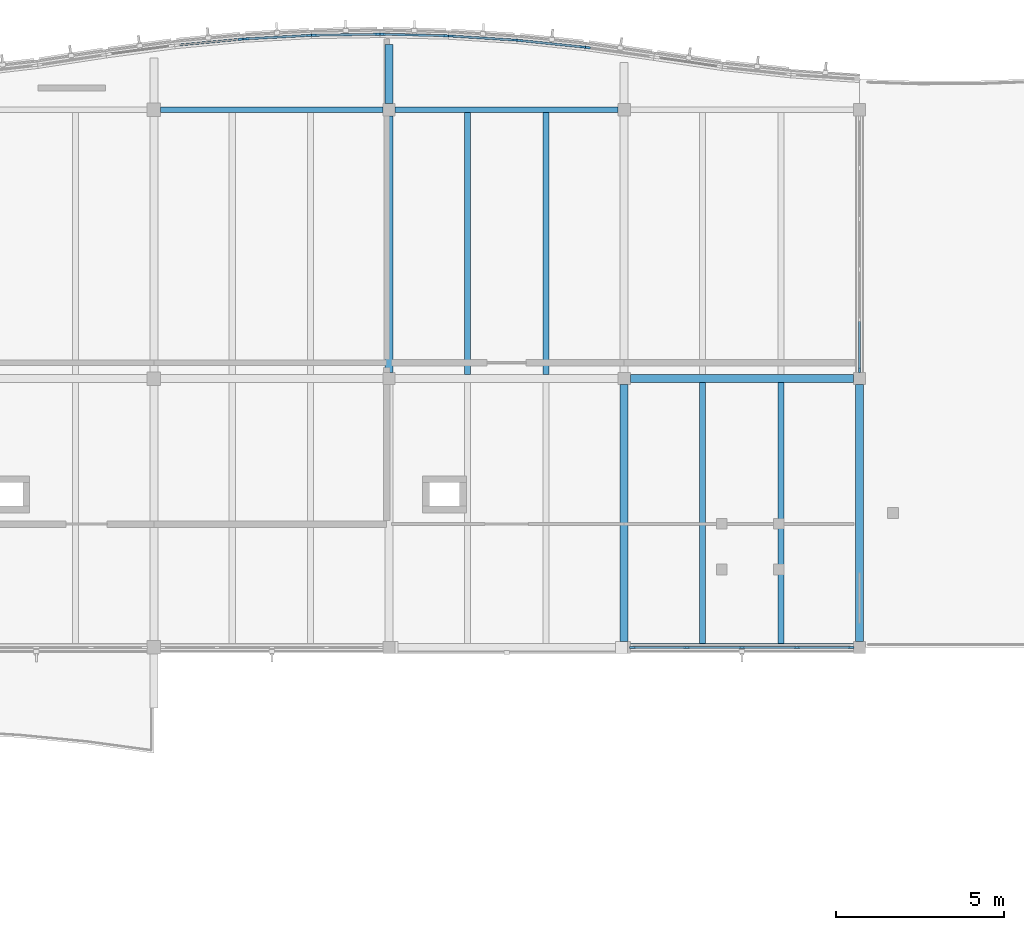
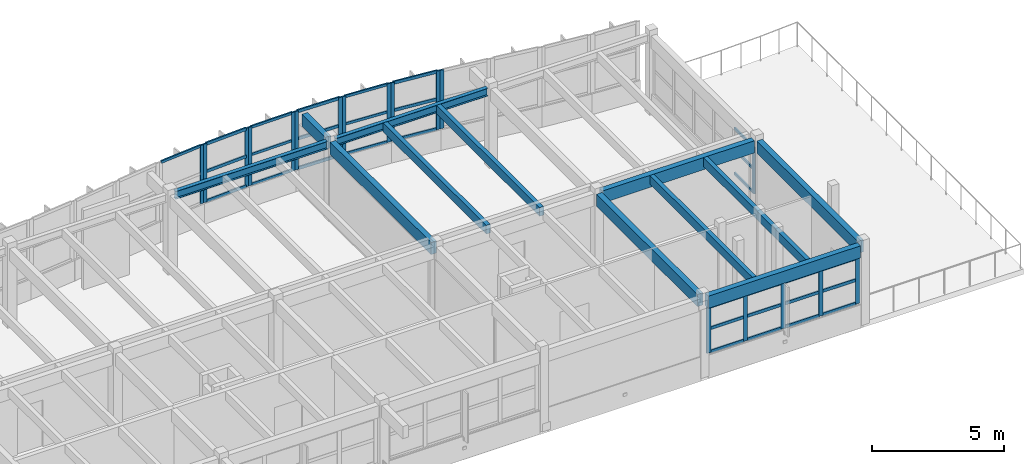
# One storey, part 26 of 63: 49 members, 12 beams, 9 elements without a shape of their own.
"""IFC4 building model written with IfcOpenShell, lengths in metres."""

from ifc_helpers import new_model, si_unit, direction, frame, origin, origin_2d, place, context, subcontext, project, spatial, rectangle, i_section, extrude, material, layer, layer_set, material_profile, profile_set, type_object, element, aggregate, save


model = new_model("IFC4")

# Units and contexts
model_context = context("Model", 3, precision=1e-05, world=origin(), true_north=direction((0.0, 1.0)))
body_context = subcontext(model_context, "Body", "Model", "MODEL_VIEW")
ifc_project = project(units=[si_unit("LENGTHUNIT", "METRE"), si_unit("AREAUNIT", "SQUARE_METRE"), si_unit("VOLUMEUNIT", "CUBIC_METRE"), si_unit("PLANEANGLEUNIT", "RADIAN"), si_unit("MASSUNIT", "GRAM", prefix="KILO")], contexts=[model_context])

# Site, building, storey
site_placement = place(None, origin())
site = spatial("IfcSite", under=ifc_project, at=site_placement, CompositionType="ELEMENT")
building_placement = place(site_placement, origin())
building = spatial("IfcBuilding", under=site, at=building_placement, Name="Tonlespit Floodbar School", CompositionType="ELEMENT")
storey_placement = place(building_placement, frame((0.0, 0.0, 8.39990234375)))
storey = spatial("IfcBuildingStorey", under=building, at=storey_placement, Name="L02", CompositionType="ELEMENT", Elevation=8.39990234375)

# Beams
ifc_material_1 = material(Name="Glulam GL28h", Category="wood")
ifc_material_profile_1 = material_profile(ifc_material_1, rectangle(XDim=0.239990234375, YDim=0.56005859375, at=origin_2d()), Name="GL 240x560")
ifc_profile_set_1 = profile_set([ifc_material_profile_1], Name="Glulam GL28h")
beam_type_1 = type_object("IfcBeamType", Name="Beam_GL_240x560", PredefinedType="BEAM", material=ifc_profile_set_1)
for number, where, z_axis, x_axis, name in (
    (1, (162.179931640625, 104.0, 3.3681640625), (1.0, 0.0, 0.0), (0.0, 1.0, 0.0), "L02 girder 0973"),
    (2, (162.179931640625, 112.0, 3.3681640625), (1.0, 0.0, 0.0), (0.0, 1.0, 0.0), "L02 girder 0982"),
):
    element("IfcBeam", number, at=place(storey_placement, frame(where, z_axis=z_axis, x_axis=x_axis)), inside=storey, type_object=beam_type_1, Name=name, PredefinedType="BEAM", context=body_context, shape_type="SweptSolid", body=[
        extrude(rectangle(XDim=0.239990234375, YDim=0.56005859375, at=origin_2d()), origin(), (0.0, 0.0, 1.0), 6.64013671875),
    ])
for number, where, z_axis, x_axis, name in (
    (3, (155.0, 112.179931640625, 3.364990234375), (0.0, 1.0, 0.0), (-1.0, 0.0, 0.0), "L02 girder 1055"),
    (4, (162.0, 104.179931640625, 3.364990234375), (0.0, 1.0, 0.0), (-1.0, 0.0, 0.0), "L02 girder 1056"),
    (5, (169.0, 104.179931640625, 3.3681640625), (0.0, 1.0, 0.0), (-1.0, 0.0, 0.0), "L02 girder 1058"),
):
    element("IfcBeam", number, at=place(storey_placement, frame(where, z_axis=z_axis, x_axis=x_axis)), inside=storey, type_object=beam_type_1, Name=name, PredefinedType="BEAM", context=body_context, shape_type="SweptSolid", body=[
        extrude(rectangle(XDim=0.239990234375, YDim=0.56005859375, at=origin_2d()), origin(), (0.0, 0.0, 1.0), 7.64013671875),
    ])
beam_1_placement = place(storey_placement, frame((155.0, 120.179931640625, 3.364990234375), z_axis=(0.0, 1.0, 0.0), x_axis=(-1.0, 0.0, 0.0)))
element("IfcBeam", 6, at=beam_1_placement, inside=storey, type_object=beam_type_1, Name="L02 north street wave cantilever bracket", PredefinedType="BEAM", context=body_context, shape_type="SweptSolid", body=[
    extrude(rectangle(XDim=0.239990234375, YDim=0.56005859375, at=origin_2d()), origin(), (0.0, 0.0, 1.0), 1.76708984375),
])

# Curtain wall, member
ifc_material_2 = material(Name="Anodised Aluminium", Category="aluminium")
ifc_layer_1 = layer(ifc_material_2, 0.159912109375)
ifc_layer_set_1 = layer_set([ifc_layer_1], Name="Anodised Aluminium")
curtain_wall_type_1 = type_object("IfcCurtainWallType", Name="CurtainWall_1950x2700", PredefinedType="NOTDEFINED", material=ifc_layer_set_1)
curtain_wall_1_placement = place(storey_placement, origin())
curtain_wall_1 = element("IfcCurtainWall", 7, at=curtain_wall_1_placement, inside=storey, type_object=curtain_wall_type_1, Name="L02 unitised curtain wall 0430", PredefinedType="NOTDEFINED")
ifc_material_profile_2 = material_profile(ifc_material_2, rectangle(XDim=0.06494140625, YDim=0.14990234375, at=origin_2d()), Name="ALU M65x150")
ifc_profile_set_2 = profile_set([ifc_material_profile_2], Name="Anodised Aluminium")
member_type_1 = type_object("IfcMemberType", Name="CW_Mullion_65x150", PredefinedType="MULLION", material=ifc_profile_set_2)
member_1_placement = place(storey_placement, frame((150.58154296875, 122.100341796875, 0.9501953125), z_axis=(0.0, 0.0, 1.0), x_axis=(-0.093624118246, 0.995607615721, 0.0)))
member_1 = element("IfcMember", 8, at=member_1_placement, type_object=member_type_1, Name="CW-04 mullion 2", PredefinedType="MULLION", context=body_context, shape_type="SweptSolid", body=[
    extrude(rectangle(XDim=0.06494140625, YDim=0.14990234375, at=origin_2d()), origin(), (0.0, 0.0, 1.0), 2.699951171875),
])

# Curtain wall, members
curtain_wall_2_placement = place(storey_placement, origin())
curtain_wall_2 = element("IfcCurtainWall", 9, at=curtain_wall_2_placement, inside=storey, type_object=curtain_wall_type_1, Name="L02 unitised curtain wall 0432", PredefinedType="NOTDEFINED")
member_2_placement = place(storey_placement, frame((152.764892578125, 122.218994140625, 0.9501953125), z_axis=(0.0, 0.0, 1.0), x_axis=(-0.015162923455, 0.999885036268, 0.0)))
member_2 = element("IfcMember", 10, at=member_2_placement, type_object=member_type_1, Name="CW-04 mullion 1", PredefinedType="MULLION", context=body_context, shape_type="SweptSolid", body=[
    extrude(rectangle(XDim=0.06494140625, YDim=0.14990234375, at=origin_2d()), origin(), (0.0, 0.0, 1.0), 2.699951171875),
])
member_3_placement = place(storey_placement, frame((154.658203125, 122.247802734375, 0.9501953125), z_axis=(0.0, 0.0, 1.0), x_axis=(-0.015162923455, 0.999885036268, 0.0)))
member_3 = element("IfcMember", 11, at=member_3_placement, type_object=member_type_1, Name="CW-04 mullion 2", PredefinedType="MULLION", context=body_context, shape_type="SweptSolid", body=[
    extrude(rectangle(XDim=0.06494140625, YDim=0.14990234375, at=origin_2d()), origin(), (0.0, 0.0, 1.0), 2.699951171875),
])

curtain_wall_3_placement = place(storey_placement, origin())
curtain_wall_3 = element("IfcCurtainWall", 12, at=curtain_wall_3_placement, inside=storey, type_object=curtain_wall_type_1, Name="L02 unitised curtain wall 0434", PredefinedType="NOTDEFINED")
member_4_placement = place(storey_placement, frame((156.841552734375, 122.1953125, 0.9501953125), z_axis=(0.0, 0.0, 1.0), x_axis=(0.063282310575, 0.997995665907, 0.0)))
member_4 = element("IfcMember", 13, at=member_4_placement, type_object=member_type_1, Name="CW-04 mullion 1", PredefinedType="MULLION", context=body_context, shape_type="SweptSolid", body=[
    extrude(rectangle(XDim=0.06494140625, YDim=0.14990234375, at=origin_2d()), origin(), (0.0, 0.0, 1.0), 2.699951171875),
])
member_5_placement = place(storey_placement, frame((158.7353515625, 122.0751953125, 0.9501953125), z_axis=(0.0, 0.0, 1.0), x_axis=(0.063282310575, 0.997995665907, 0.0)))
member_5 = element("IfcMember", 14, at=member_5_placement, type_object=member_type_1, Name="CW-04 mullion 2", PredefinedType="MULLION", context=body_context, shape_type="SweptSolid", body=[
    extrude(rectangle(XDim=0.06494140625, YDim=0.14990234375, at=origin_2d()), origin(), (0.0, 0.0, 1.0), 2.699951171875),
])

# Curtain wall, member
ifc_layer_2 = layer(ifc_material_2, 0.159912109375)
ifc_layer_set_2 = layer_set([ifc_layer_2], Name="Anodised Aluminium")
curtain_wall_type_2 = type_object("IfcCurtainWallType", Name="CurtainWall_2000x2700", PredefinedType="NOTDEFINED", material=ifc_layer_set_2)
curtain_wall_4_placement = place(storey_placement, origin())
curtain_wall_4 = element("IfcCurtainWall", 15, at=curtain_wall_4_placement, inside=storey, type_object=curtain_wall_type_2, Name="L02 unitised curtain wall 0436", PredefinedType="NOTDEFINED")
member_6_placement = place(storey_placement, frame((160.91796875, 121.850341796875, 0.9501953125), z_axis=(0.0, 0.0, 1.0), x_axis=(0.141626491819, 0.98992016689, 0.0)))
member_6 = element("IfcMember", 16, at=member_6_placement, type_object=member_type_1, Name="CW-65 mullion 1", PredefinedType="MULLION", context=body_context, shape_type="SweptSolid", body=[
    extrude(rectangle(XDim=0.06494140625, YDim=0.14990234375, at=origin_2d()), origin(), (0.0, 0.0, 1.0), 2.699951171875),
])
aggregate(curtain_wall_4, [member_6])

ifc_layer_3 = layer(ifc_material_2, 0.159912109375)
ifc_layer_set_3 = layer_set([ifc_layer_3], Name="Anodised Aluminium")
curtain_wall_type_3 = type_object("IfcCurtainWallType", Name="CurtainWall_7550x2150", PredefinedType="NOTDEFINED", material=ifc_layer_set_3)
curtain_wall_5_placement = place(storey_placement, origin())
curtain_wall_5 = element("IfcCurtainWall", 17, at=curtain_wall_5_placement, inside=storey, type_object=curtain_wall_type_3, Name="L02 unitised curtain wall 0440", PredefinedType="NOTDEFINED")
member_7_placement = place(storey_placement, frame((169.0, 112.25244140625, 0.9501953125), z_axis=(0.0, 0.0, 1.0), x_axis=(1.0, 0.0, 0.0)))
member_7 = element("IfcMember", 18, at=member_7_placement, type_object=member_type_1, Name="CW-37 mullion 6", PredefinedType="MULLION", context=body_context, shape_type="SweptSolid", body=[
    extrude(rectangle(XDim=0.06494140625, YDim=0.14990234375, at=origin_2d()), origin(), (0.0, 0.0, 1.0), 2.137939453125),
])

# Curtain wall, members
curtain_wall_6_placement = place(storey_placement, origin())
curtain_wall_6 = element("IfcCurtainWall", 19, at=curtain_wall_6_placement, inside=storey, type_object=curtain_wall_type_1, Name="L02 unitised curtain wall 0431", PredefinedType="NOTDEFINED")
ifc_material_profile_3 = material_profile(ifc_material_2, rectangle(XDim=0.06494140625, YDim=0.179931640625, at=origin_2d()), Name="ALU M65x180")
ifc_profile_set_3 = profile_set([ifc_material_profile_3], Name="Anodised Aluminium")
member_type_2 = type_object("IfcMemberType", Name="CW_Mullion_65x180", PredefinedType="MULLION", material=ifc_profile_set_3)
member_8_placement = place(storey_placement, frame((150.72607421875, 122.111083984375, 0.9501953125), z_axis=(0.0, 0.0, 1.0), x_axis=(-0.054343430645, 0.99852230398, 0.0)))
member_8 = element("IfcMember", 20, at=member_8_placement, type_object=member_type_2, Name="CW-04 mullion 1", PredefinedType="MULLION", context=body_context, shape_type="SweptSolid", body=[
    extrude(rectangle(XDim=0.06494140625, YDim=0.179931640625, at=origin_2d()), origin(), (0.0, 0.0, 1.0), 2.699951171875),
])
member_9_placement = place(storey_placement, frame((152.619873046875, 122.214111328125, 0.9501953125), z_axis=(0.0, 0.0, 1.0), x_axis=(-0.054343430645, 0.99852230398, 0.0)))
member_9 = element("IfcMember", 21, at=member_9_placement, type_object=member_type_2, Name="CW-04 mullion 2", PredefinedType="MULLION", context=body_context, shape_type="SweptSolid", body=[
    extrude(rectangle(XDim=0.06494140625, YDim=0.179931640625, at=origin_2d()), origin(), (0.0, 0.0, 1.0), 2.699951171875),
])

curtain_wall_7_placement = place(storey_placement, origin())
curtain_wall_7 = element("IfcCurtainWall", 22, at=curtain_wall_7_placement, inside=storey, type_object=curtain_wall_type_1, Name="L02 unitised curtain wall 0433", PredefinedType="NOTDEFINED")
member_10_placement = place(storey_placement, frame((154.80322265625, 122.2470703125, 0.9501953125), z_axis=(0.0, 0.0, 1.0), x_axis=(0.023992274692, 0.999712143947, 0.0)))
member_10 = element("IfcMember", 23, at=member_10_placement, type_object=member_type_2, Name="CW-04 mullion 1", PredefinedType="MULLION", context=body_context, shape_type="SweptSolid", body=[
    extrude(rectangle(XDim=0.06494140625, YDim=0.179931640625, at=origin_2d()), origin(), (0.0, 0.0, 1.0), 2.699951171875),
])
member_11_placement = place(storey_placement, frame((156.69677734375, 122.20166015625, 0.9501953125), z_axis=(0.0, 0.0, 1.0), x_axis=(0.023992274692, 0.999712143947, 0.0)))
member_11 = element("IfcMember", 24, at=member_11_placement, type_object=member_type_2, Name="CW-04 mullion 2", PredefinedType="MULLION", context=body_context, shape_type="SweptSolid", body=[
    extrude(rectangle(XDim=0.06494140625, YDim=0.179931640625, at=origin_2d()), origin(), (0.0, 0.0, 1.0), 2.699951171875),
])

curtain_wall_8_placement = place(storey_placement, origin())
curtain_wall_8 = element("IfcCurtainWall", 25, at=curtain_wall_8_placement, inside=storey, type_object=curtain_wall_type_1, Name="L02 unitised curtain wall 0435", PredefinedType="NOTDEFINED")
member_12_placement = place(storey_placement, frame((158.8798828125, 122.063232421875, 0.9501953125), z_axis=(0.0, 0.0, 1.0), x_axis=(0.102474678015, 0.994735613299, 0.0)))
member_12 = element("IfcMember", 26, at=member_12_placement, type_object=member_type_2, Name="CW-04 mullion 1", PredefinedType="MULLION", context=body_context, shape_type="SweptSolid", body=[
    extrude(rectangle(XDim=0.06494140625, YDim=0.179931640625, at=origin_2d()), origin(), (0.0, 0.0, 1.0), 2.699951171875),
])
member_13_placement = place(storey_placement, frame((160.774169921875, 121.8681640625, 0.9501953125), z_axis=(0.0, 0.0, 1.0), x_axis=(0.102474678015, 0.994735613299, 0.0)))
member_13 = element("IfcMember", 27, at=member_13_placement, type_object=member_type_2, Name="CW-04 mullion 2", PredefinedType="MULLION", context=body_context, shape_type="SweptSolid", body=[
    extrude(rectangle(XDim=0.06494140625, YDim=0.179931640625, at=origin_2d()), origin(), (0.0, 0.0, 1.0), 2.699951171875),
])

ifc_layer_4 = layer(ifc_material_2, 0.159912109375)
ifc_layer_set_4 = layer_set([ifc_layer_4], Name="Anodised Aluminium")
curtain_wall_type_4 = type_object("IfcCurtainWallType", Name="CurtainWall_6550x2150", PredefinedType="NOTDEFINED", material=ifc_layer_set_4)
curtain_wall_9_placement = place(storey_placement, origin())
curtain_wall_9 = element("IfcCurtainWall", 28, at=curtain_wall_9_placement, inside=storey, type_object=curtain_wall_type_4, Name="L02 unitised curtain wall 0441", PredefinedType="NOTDEFINED")
member_14_placement = place(storey_placement, frame((168.74755859375, 104.0, 0.9501953125), z_axis=(0.0, 0.0, 1.0), x_axis=(0.0, -1.0, 0.0)))
member_14 = element("IfcMember", 29, at=member_14_placement, type_object=member_type_2, Name="CW-66 mullion 1", PredefinedType="MULLION", context=body_context, shape_type="SweptSolid", body=[
    extrude(rectangle(XDim=0.06494140625, YDim=0.179931640625, at=origin_2d()), origin(), (0.0, 0.0, 1.0), 2.137939453125),
])
member_15_placement = place(storey_placement, frame((167.139892578125, 104.0, 0.9501953125), z_axis=(0.0, 0.0, 1.0), x_axis=(0.0, -1.0, 0.0)))
member_15 = element("IfcMember", 30, at=member_15_placement, type_object=member_type_2, Name="CW-66 mullion 2", PredefinedType="MULLION", context=body_context, shape_type="SweptSolid", body=[
    extrude(rectangle(XDim=0.06494140625, YDim=0.179931640625, at=origin_2d()), origin(), (0.0, 0.0, 1.0), 2.137939453125),
])
member_16_placement = place(storey_placement, frame((165.5, 104.0, 0.9501953125), z_axis=(0.0, 0.0, 1.0), x_axis=(0.0, -1.0, 0.0)))
member_16 = element("IfcMember", 31, at=member_16_placement, type_object=member_type_2, Name="CW-66 mullion 3", PredefinedType="MULLION", context=body_context, shape_type="SweptSolid", body=[
    extrude(rectangle(XDim=0.06494140625, YDim=0.179931640625, at=origin_2d()), origin(), (0.0, 0.0, 1.0), 2.137939453125),
])
member_17_placement = place(storey_placement, frame((163.860107421875, 104.0, 0.9501953125), z_axis=(0.0, 0.0, 1.0), x_axis=(0.0, -1.0, 0.0)))
member_17 = element("IfcMember", 32, at=member_17_placement, type_object=member_type_2, Name="CW-66 mullion 4", PredefinedType="MULLION", context=body_context, shape_type="SweptSolid", body=[
    extrude(rectangle(XDim=0.06494140625, YDim=0.179931640625, at=origin_2d()), origin(), (0.0, 0.0, 1.0), 2.137939453125),
])
member_18_placement = place(storey_placement, frame((162.25244140625, 104.0, 0.9501953125), z_axis=(0.0, 0.0, 1.0), x_axis=(0.0, -1.0, 0.0)))
member_18 = element("IfcMember", 33, at=member_18_placement, type_object=member_type_2, Name="CW-66 mullion 5", PredefinedType="MULLION", context=body_context, shape_type="SweptSolid", body=[
    extrude(rectangle(XDim=0.06494140625, YDim=0.179931640625, at=origin_2d()), origin(), (0.0, 0.0, 1.0), 2.137939453125),
])

# Member
ifc_material_profile_4 = material_profile(ifc_material_2, rectangle(XDim=0.06494140625, YDim=0.1201171875, at=origin_2d()), Name="ALU T65x120")
ifc_profile_set_4 = profile_set([ifc_material_profile_4], Name="Anodised Aluminium")
member_type_3 = type_object("IfcMemberType", Name="CW_Transom_65x120", PredefinedType="USERDEFINED", material=ifc_profile_set_4)
member_19_placement = place(storey_placement, frame((148.719970703125, 121.92529296875, 3.61767578125), z_axis=(0.995615297315, 0.093542395477, 0.0), x_axis=(-0.093542395477, 0.995615297315, 0.0)))
member_19 = element("IfcMember", 34, at=member_19_placement, type_object=member_type_3, Name="CW-04 transom 1.3", ObjectType="TRANSOM", PredefinedType="USERDEFINED", context=body_context, shape_type="SweptSolid", body=[
    extrude(rectangle(XDim=0.06494140625, YDim=0.1201171875, at=origin_2d()), origin(), (0.0, 0.0, 1.0), 1.83740234375),
])

aggregate(curtain_wall_1, [member_1, member_19])

member_20_placement = place(storey_placement, frame((152.79736328125, 122.219482421875, 0.982666015625), z_axis=(0.999884160526, 0.015220562732, 0.0), x_axis=(-0.015220562732, 0.999884160526, 0.0)))
member_20 = element("IfcMember", 35, at=member_20_placement, type_object=member_type_3, Name="CW-04 transom 1.1", ObjectType="TRANSOM", PredefinedType="USERDEFINED", context=body_context, shape_type="SweptSolid", body=[
    extrude(rectangle(XDim=0.06494140625, YDim=0.1201171875, at=origin_2d()), origin(), (0.0, 0.0, 1.0), 1.82861328125),
])

member_21_placement = place(storey_placement, frame((152.79736328125, 122.219482421875, 2.35400390625), z_axis=(0.999884160526, 0.015220562732, 0.0), x_axis=(-0.015220562732, 0.999884160526, 0.0)))
member_21 = element("IfcMember", 36, at=member_21_placement, type_object=member_type_3, Name="CW-04 transom 1.2", ObjectType="TRANSOM", PredefinedType="USERDEFINED", context=body_context, shape_type="SweptSolid", body=[
    extrude(rectangle(XDim=0.06494140625, YDim=0.1201171875, at=origin_2d()), origin(), (0.0, 0.0, 1.0), 1.82861328125),
])

member_22_placement = place(storey_placement, frame((152.79736328125, 122.219482421875, 3.61767578125), z_axis=(0.999884160526, 0.015220562732, 0.0), x_axis=(-0.015220562732, 0.999884160526, 0.0)))
member_22 = element("IfcMember", 37, at=member_22_placement, type_object=member_type_3, Name="CW-04 transom 1.3", ObjectType="TRANSOM", PredefinedType="USERDEFINED", context=body_context, shape_type="SweptSolid", body=[
    extrude(rectangle(XDim=0.06494140625, YDim=0.1201171875, at=origin_2d()), origin(), (0.0, 0.0, 1.0), 1.82861328125),
])

aggregate(curtain_wall_2, [member_2, member_3, member_20, member_21, member_22])

member_23_placement = place(storey_placement, frame((156.8740234375, 122.193359375, 0.982666015625), z_axis=(0.997995664618, -0.06328233089, 0.0), x_axis=(0.06328233089, 0.997995664618, 0.0)))
member_23 = element("IfcMember", 38, at=member_23_placement, type_object=member_type_3, Name="CW-04 transom 1.1", ObjectType="TRANSOM", PredefinedType="USERDEFINED", context=body_context, shape_type="SweptSolid", body=[
    extrude(rectangle(XDim=0.06494140625, YDim=0.1201171875, at=origin_2d()), origin(), (0.0, 0.0, 1.0), 1.83251953125),
])

member_24_placement = place(storey_placement, frame((156.8740234375, 122.193359375, 2.35400390625), z_axis=(0.997995664618, -0.06328233089, 0.0), x_axis=(0.06328233089, 0.997995664618, 0.0)))
member_24 = element("IfcMember", 39, at=member_24_placement, type_object=member_type_3, Name="CW-04 transom 1.2", ObjectType="TRANSOM", PredefinedType="USERDEFINED", context=body_context, shape_type="SweptSolid", body=[
    extrude(rectangle(XDim=0.06494140625, YDim=0.1201171875, at=origin_2d()), origin(), (0.0, 0.0, 1.0), 1.83251953125),
])

member_25_placement = place(storey_placement, frame((156.8740234375, 122.193359375, 3.61767578125), z_axis=(0.997995664618, -0.06328233089, 0.0), x_axis=(0.06328233089, 0.997995664618, 0.0)))
member_25 = element("IfcMember", 40, at=member_25_placement, type_object=member_type_3, Name="CW-04 transom 1.3", ObjectType="TRANSOM", PredefinedType="USERDEFINED", context=body_context, shape_type="SweptSolid", body=[
    extrude(rectangle(XDim=0.06494140625, YDim=0.1201171875, at=origin_2d()), origin(), (0.0, 0.0, 1.0), 1.83251953125),
])

aggregate(curtain_wall_3, [member_4, member_5, member_23, member_24, member_25])

member_26_placement = place(storey_placement, frame((169.0, 113.699462890625, 0.982666015625), z_axis=(0.0, -1.0, 0.0), x_axis=(1.0, 0.0, 0.0)))
member_26 = element("IfcMember", 41, at=member_26_placement, type_object=member_type_3, Name="CW-37 transom 5.1", ObjectType="TRANSOM", PredefinedType="USERDEFINED", context=body_context, shape_type="SweptSolid", body=[
    extrude(rectangle(XDim=0.06494140625, YDim=0.1201171875, at=origin_2d()), origin(), (0.0, 0.0, 1.0), 1.41455078125),
])

member_27_placement = place(storey_placement, frame((169.0, 113.699462890625, 2.06201171875), z_axis=(0.0, -1.0, 0.0), x_axis=(1.0, 0.0, 0.0)))
member_27 = element("IfcMember", 42, at=member_27_placement, type_object=member_type_3, Name="CW-37 transom 5.2", ObjectType="TRANSOM", PredefinedType="USERDEFINED", context=body_context, shape_type="SweptSolid", body=[
    extrude(rectangle(XDim=0.06494140625, YDim=0.1201171875, at=origin_2d()), origin(), (0.0, 0.0, 1.0), 1.41455078125),
])

member_28_placement = place(storey_placement, frame((169.0, 113.699462890625, 3.0556640625), z_axis=(0.0, -1.0, 0.0), x_axis=(1.0, 0.0, 0.0)))
member_28 = element("IfcMember", 43, at=member_28_placement, type_object=member_type_3, Name="CW-37 transom 5.3", ObjectType="TRANSOM", PredefinedType="USERDEFINED", context=body_context, shape_type="SweptSolid", body=[
    extrude(rectangle(XDim=0.06494140625, YDim=0.1201171875, at=origin_2d()), origin(), (0.0, 0.0, 1.0), 1.41455078125),
])

aggregate(curtain_wall_5, [member_7, member_26, member_27, member_28])

ifc_material_profile_5 = material_profile(ifc_material_2, rectangle(XDim=0.06494140625, YDim=0.139892578125, at=origin_2d()), Name="ALU T65x140")
ifc_profile_set_5 = profile_set([ifc_material_profile_5], Name="Anodised Aluminium")
member_type_4 = type_object("IfcMemberType", Name="CW_Transom_65x140", PredefinedType="USERDEFINED", material=ifc_profile_set_5)
member_29_placement = place(storey_placement, frame((150.758544921875, 122.11279296875, 0.982666015625), z_axis=(0.998527283967, 0.054251849496, 0.0), x_axis=(-0.054251849496, 0.998527283967, 0.0)))
member_29 = element("IfcMember", 44, at=member_29_placement, type_object=member_type_4, Name="CW-04 transom 1.1", ObjectType="TRANSOM", PredefinedType="USERDEFINED", context=body_context, shape_type="SweptSolid", body=[
    extrude(rectangle(XDim=0.06494140625, YDim=0.139892578125, at=origin_2d()), origin(), (0.0, 0.0, 1.0), 1.83154296875),
])

member_30_placement = place(storey_placement, frame((150.758544921875, 122.11279296875, 2.35400390625), z_axis=(0.998527283967, 0.054251849496, 0.0), x_axis=(-0.054251849496, 0.998527283967, 0.0)))
member_30 = element("IfcMember", 45, at=member_30_placement, type_object=member_type_4, Name="CW-04 transom 1.2", ObjectType="TRANSOM", PredefinedType="USERDEFINED", context=body_context, shape_type="SweptSolid", body=[
    extrude(rectangle(XDim=0.06494140625, YDim=0.139892578125, at=origin_2d()), origin(), (0.0, 0.0, 1.0), 1.83154296875),
])

member_31_placement = place(storey_placement, frame((150.758544921875, 122.11279296875, 3.61767578125), z_axis=(0.998527283967, 0.054251849496, 0.0), x_axis=(-0.054251849496, 0.998527283967, 0.0)))
member_31 = element("IfcMember", 46, at=member_31_placement, type_object=member_type_4, Name="CW-04 transom 1.3", ObjectType="TRANSOM", PredefinedType="USERDEFINED", context=body_context, shape_type="SweptSolid", body=[
    extrude(rectangle(XDim=0.06494140625, YDim=0.139892578125, at=origin_2d()), origin(), (0.0, 0.0, 1.0), 1.83154296875),
])

aggregate(curtain_wall_6, [member_8, member_9, member_29, member_30, member_31])

member_32_placement = place(storey_placement, frame((154.835693359375, 122.246337890625, 0.982666015625), z_axis=(0.999711355483, -0.024025106006, 0.0), x_axis=(0.024025106006, 0.999711355483, 0.0)))
member_32 = element("IfcMember", 47, at=member_32_placement, type_object=member_type_4, Name="CW-04 transom 1.1", ObjectType="TRANSOM", PredefinedType="USERDEFINED", context=body_context, shape_type="SweptSolid", body=[
    extrude(rectangle(XDim=0.06494140625, YDim=0.139892578125, at=origin_2d()), origin(), (0.0, 0.0, 1.0), 1.8291015625),
])

member_33_placement = place(storey_placement, frame((154.835693359375, 122.246337890625, 2.35400390625), z_axis=(0.999711355483, -0.024025106006, 0.0), x_axis=(0.024025106006, 0.999711355483, 0.0)))
member_33 = element("IfcMember", 48, at=member_33_placement, type_object=member_type_4, Name="CW-04 transom 1.2", ObjectType="TRANSOM", PredefinedType="USERDEFINED", context=body_context, shape_type="SweptSolid", body=[
    extrude(rectangle(XDim=0.06494140625, YDim=0.139892578125, at=origin_2d()), origin(), (0.0, 0.0, 1.0), 1.8291015625),
])

member_34_placement = place(storey_placement, frame((154.835693359375, 122.246337890625, 3.61767578125), z_axis=(0.999711355483, -0.024025106006, 0.0), x_axis=(0.024025106006, 0.999711355483, 0.0)))
member_34 = element("IfcMember", 49, at=member_34_placement, type_object=member_type_4, Name="CW-04 transom 1.3", ObjectType="TRANSOM", PredefinedType="USERDEFINED", context=body_context, shape_type="SweptSolid", body=[
    extrude(rectangle(XDim=0.06494140625, YDim=0.139892578125, at=origin_2d()), origin(), (0.0, 0.0, 1.0), 1.8291015625),
])

aggregate(curtain_wall_7, [member_10, member_11, member_32, member_33, member_34])

member_35_placement = place(storey_placement, frame((158.912109375, 122.06005859375, 0.982666015625), z_axis=(0.994735740392, -0.1024734443, 0.0), x_axis=(0.1024734443, 0.994735740392, 0.0)))
member_35 = element("IfcMember", 50, at=member_35_placement, type_object=member_type_4, Name="CW-04 transom 1.1", ObjectType="TRANSOM", PredefinedType="USERDEFINED", context=body_context, shape_type="SweptSolid", body=[
    extrude(rectangle(XDim=0.06494140625, YDim=0.139892578125, at=origin_2d()), origin(), (0.0, 0.0, 1.0), 1.83935546875),
])

member_36_placement = place(storey_placement, frame((158.912109375, 122.06005859375, 2.35400390625), z_axis=(0.994735740392, -0.1024734443, 0.0), x_axis=(0.1024734443, 0.994735740392, 0.0)))
member_36 = element("IfcMember", 51, at=member_36_placement, type_object=member_type_4, Name="CW-04 transom 1.2", ObjectType="TRANSOM", PredefinedType="USERDEFINED", context=body_context, shape_type="SweptSolid", body=[
    extrude(rectangle(XDim=0.06494140625, YDim=0.139892578125, at=origin_2d()), origin(), (0.0, 0.0, 1.0), 1.83935546875),
])

member_37_placement = place(storey_placement, frame((158.912109375, 122.06005859375, 3.61767578125), z_axis=(0.994735740392, -0.1024734443, 0.0), x_axis=(0.1024734443, 0.994735740392, 0.0)))
member_37 = element("IfcMember", 52, at=member_37_placement, type_object=member_type_4, Name="CW-04 transom 1.3", ObjectType="TRANSOM", PredefinedType="USERDEFINED", context=body_context, shape_type="SweptSolid", body=[
    extrude(rectangle(XDim=0.06494140625, YDim=0.139892578125, at=origin_2d()), origin(), (0.0, 0.0, 1.0), 1.83935546875),
])

aggregate(curtain_wall_8, [member_12, member_13, member_35, member_36, member_37])

member_38_placement = place(storey_placement, frame((168.715087890625, 104.0, 0.982666015625), z_axis=(-1.0, 0.0, 0.0), x_axis=(0.0, -1.0, 0.0)))
member_38 = element("IfcMember", 53, at=member_38_placement, type_object=member_type_4, Name="CW-66 transom 1.1", ObjectType="TRANSOM", PredefinedType="USERDEFINED", context=body_context, shape_type="SweptSolid", body=[
    extrude(rectangle(XDim=0.06494140625, YDim=0.139892578125, at=origin_2d()), origin(), (0.0, 0.0, 1.0), 1.54248046875),
])

member_39_placement = place(storey_placement, frame((168.715087890625, 104.0, 2.06201171875), z_axis=(-1.0, 0.0, 0.0), x_axis=(0.0, -1.0, 0.0)))
member_39 = element("IfcMember", 54, at=member_39_placement, type_object=member_type_4, Name="CW-66 transom 1.2", ObjectType="TRANSOM", PredefinedType="USERDEFINED", context=body_context, shape_type="SweptSolid", body=[
    extrude(rectangle(XDim=0.06494140625, YDim=0.139892578125, at=origin_2d()), origin(), (0.0, 0.0, 1.0), 1.54248046875),
])

member_40_placement = place(storey_placement, frame((168.715087890625, 104.0, 3.0556640625), z_axis=(-1.0, 0.0, 0.0), x_axis=(0.0, -1.0, 0.0)))
member_40 = element("IfcMember", 55, at=member_40_placement, type_object=member_type_4, Name="CW-66 transom 1.3", ObjectType="TRANSOM", PredefinedType="USERDEFINED", context=body_context, shape_type="SweptSolid", body=[
    extrude(rectangle(XDim=0.06494140625, YDim=0.139892578125, at=origin_2d()), origin(), (0.0, 0.0, 1.0), 1.54248046875),
])

member_41_placement = place(storey_placement, frame((167.107421875, 104.0, 0.982666015625), z_axis=(-1.0, 0.0, 0.0), x_axis=(0.0, -1.0, 0.0)))
member_41 = element("IfcMember", 56, at=member_41_placement, type_object=member_type_4, Name="CW-66 transom 2.1", ObjectType="TRANSOM", PredefinedType="USERDEFINED", context=body_context, shape_type="SweptSolid", body=[
    extrude(rectangle(XDim=0.06494140625, YDim=0.139892578125, at=origin_2d()), origin(), (0.0, 0.0, 1.0), 1.574951171875),
])

member_42_placement = place(storey_placement, frame((167.107421875, 104.0, 2.06201171875), z_axis=(-1.0, 0.0, 0.0), x_axis=(0.0, -1.0, 0.0)))
member_42 = element("IfcMember", 57, at=member_42_placement, type_object=member_type_4, Name="CW-66 transom 2.2", ObjectType="TRANSOM", PredefinedType="USERDEFINED", context=body_context, shape_type="SweptSolid", body=[
    extrude(rectangle(XDim=0.06494140625, YDim=0.139892578125, at=origin_2d()), origin(), (0.0, 0.0, 1.0), 1.574951171875),
])

member_43_placement = place(storey_placement, frame((167.107421875, 104.0, 3.0556640625), z_axis=(-1.0, 0.0, 0.0), x_axis=(0.0, -1.0, 0.0)))
member_43 = element("IfcMember", 58, at=member_43_placement, type_object=member_type_4, Name="CW-66 transom 2.3", ObjectType="TRANSOM", PredefinedType="USERDEFINED", context=body_context, shape_type="SweptSolid", body=[
    extrude(rectangle(XDim=0.06494140625, YDim=0.139892578125, at=origin_2d()), origin(), (0.0, 0.0, 1.0), 1.574951171875),
])

member_44_placement = place(storey_placement, frame((165.467529296875, 104.0, 0.982666015625), z_axis=(-1.0, 0.0, 0.0), x_axis=(0.0, -1.0, 0.0)))
member_44 = element("IfcMember", 59, at=member_44_placement, type_object=member_type_4, Name="CW-66 transom 3.1", ObjectType="TRANSOM", PredefinedType="USERDEFINED", context=body_context, shape_type="SweptSolid", body=[
    extrude(rectangle(XDim=0.06494140625, YDim=0.139892578125, at=origin_2d()), origin(), (0.0, 0.0, 1.0), 1.574951171875),
])

member_45_placement = place(storey_placement, frame((165.467529296875, 104.0, 2.06201171875), z_axis=(-1.0, 0.0, 0.0), x_axis=(0.0, -1.0, 0.0)))
member_45 = element("IfcMember", 60, at=member_45_placement, type_object=member_type_4, Name="CW-66 transom 3.2", ObjectType="TRANSOM", PredefinedType="USERDEFINED", context=body_context, shape_type="SweptSolid", body=[
    extrude(rectangle(XDim=0.06494140625, YDim=0.139892578125, at=origin_2d()), origin(), (0.0, 0.0, 1.0), 1.574951171875),
])

member_46_placement = place(storey_placement, frame((165.467529296875, 104.0, 3.0556640625), z_axis=(-1.0, 0.0, 0.0), x_axis=(0.0, -1.0, 0.0)))
member_46 = element("IfcMember", 61, at=member_46_placement, type_object=member_type_4, Name="CW-66 transom 3.3", ObjectType="TRANSOM", PredefinedType="USERDEFINED", context=body_context, shape_type="SweptSolid", body=[
    extrude(rectangle(XDim=0.06494140625, YDim=0.139892578125, at=origin_2d()), origin(), (0.0, 0.0, 1.0), 1.574951171875),
])

member_47_placement = place(storey_placement, frame((163.827392578125, 104.0, 0.982666015625), z_axis=(-1.0, 0.0, 0.0), x_axis=(0.0, -1.0, 0.0)))
member_47 = element("IfcMember", 62, at=member_47_placement, type_object=member_type_4, Name="CW-66 transom 4.1", ObjectType="TRANSOM", PredefinedType="USERDEFINED", context=body_context, shape_type="SweptSolid", body=[
    extrude(rectangle(XDim=0.06494140625, YDim=0.139892578125, at=origin_2d()), origin(), (0.0, 0.0, 1.0), 1.54248046875),
])

member_48_placement = place(storey_placement, frame((163.827392578125, 104.0, 2.06201171875), z_axis=(-1.0, 0.0, 0.0), x_axis=(0.0, -1.0, 0.0)))
member_48 = element("IfcMember", 63, at=member_48_placement, type_object=member_type_4, Name="CW-66 transom 4.2", ObjectType="TRANSOM", PredefinedType="USERDEFINED", context=body_context, shape_type="SweptSolid", body=[
    extrude(rectangle(XDim=0.06494140625, YDim=0.139892578125, at=origin_2d()), origin(), (0.0, 0.0, 1.0), 1.54248046875),
])

member_49_placement = place(storey_placement, frame((163.827392578125, 104.0, 3.0556640625), z_axis=(-1.0, 0.0, 0.0), x_axis=(0.0, -1.0, 0.0)))
member_49 = element("IfcMember", 64, at=member_49_placement, type_object=member_type_4, Name="CW-66 transom 4.3", ObjectType="TRANSOM", PredefinedType="USERDEFINED", context=body_context, shape_type="SweptSolid", body=[
    extrude(rectangle(XDim=0.06494140625, YDim=0.139892578125, at=origin_2d()), origin(), (0.0, 0.0, 1.0), 1.54248046875),
])

aggregate(curtain_wall_9, [member_14, member_15, member_16, member_17, member_18, member_38, member_39, member_40, member_41, member_42, member_43, member_44, member_45, member_46, member_47, member_48, member_49])

# Beams
ifc_material_profile_6 = material_profile(ifc_material_1, rectangle(XDim=0.179931640625, YDim=0.39990234375, at=origin_2d()), Name="GL 180x400")
ifc_profile_set_6 = profile_set([ifc_material_profile_6], Name="Glulam GL28h")
beam_type_2 = type_object("IfcBeamType", Name="Joist_GL_180x400", PredefinedType="JOIST", material=ifc_profile_set_6)
for number, where, z_axis, x_axis, name in (
    (65, (164.333251953125, 104.1201171875, 3.447998046875), (0.0, 1.0, 0.0), (-1.0, 0.0, 0.0), "L02 secondary joist 1123"),
    (66, (166.666748046875, 104.1201171875, 3.447998046875), (0.0, 1.0, 0.0), (-1.0, 0.0, 0.0), "L02 secondary joist 1124"),
):
    element("IfcBeam", number, at=place(storey_placement, frame(where, z_axis=z_axis, x_axis=x_axis)), inside=storey, type_object=beam_type_2, Name=name, PredefinedType="JOIST", context=body_context, shape_type="SweptSolid", body=[
        extrude(rectangle(XDim=0.179931640625, YDim=0.39990234375, at=origin_2d()), origin(), (0.0, 0.0, 1.0), 7.759765625),
    ])
for number, where, z_axis, x_axis, name in (
    (67, (157.333251953125, 112.1201171875, 3.445068359375), (0.0, 1.0, 0.0), (-1.0, 0.0, 0.0), "L02 secondary joist 1139"),
    (68, (159.666748046875, 112.1201171875, 3.445068359375), (0.0, 1.0, 0.0), (-1.0, 0.0, 0.0), "L02 secondary joist 1140"),
):
    element("IfcBeam", number, at=place(storey_placement, frame(where, z_axis=z_axis, x_axis=x_axis)), inside=storey, type_object=beam_type_2, Name=name, PredefinedType="JOIST", context=body_context, shape_type="SweptSolid", body=[
        extrude(rectangle(XDim=0.179931640625, YDim=0.39990234375, at=origin_2d()), origin(), (0.0, 0.0, 1.0), 7.794921875),
    ])
ifc_material_3 = material(Name="Steel S355", Category="steel")
ifc_material_profile_7 = material_profile(ifc_material_3, i_section(OverallWidth=0.169921875, OverallDepth=0.360107421875, WebThickness=0.008056640625, FlangeThickness=0.0126953125, at=origin_2d()), Name="IPE 360")
ifc_profile_set_7 = profile_set([ifc_material_profile_7], Name="Steel S355")
beam_type_3 = type_object("IfcBeamType", Name="Spandrel_STL_IPE360", PredefinedType="SPANDREL", material=ifc_profile_set_7)
beam_2_placement = place(storey_placement, frame((148.199951171875, 120.0, 3.465087890625), z_axis=(1.0, 0.0, 0.0), x_axis=(0.0, 1.0, 0.0)))
element("IfcBeam", 69, at=beam_2_placement, inside=storey, type_object=beam_type_3, Name="L02 girder 0995", PredefinedType="SPANDREL", context=body_context, shape_type="SweptSolid", body=[
    extrude(i_section(OverallWidth=0.169921875, OverallDepth=0.360107421875, WebThickness=0.008056640625, FlangeThickness=0.0126953125, at=origin_2d()), origin(), (0.0, 0.0, 1.0), 6.6201171875),
])
beam_3_placement = place(storey_placement, frame((155.179931640625, 120.0, 3.465087890625), z_axis=(1.0, 0.0, 0.0), x_axis=(0.0, 1.0, 0.0)))
element("IfcBeam", 70, at=beam_3_placement, inside=storey, type_object=beam_type_3, Name="L02 girder 0996", PredefinedType="SPANDREL", context=body_context, shape_type="SweptSolid", body=[
    extrude(i_section(OverallWidth=0.169921875, OverallDepth=0.360107421875, WebThickness=0.008056640625, FlangeThickness=0.0126953125, at=origin_2d()), origin(), (0.0, 0.0, 1.0), 6.64013671875),
])

save(model, "model.ifc")
